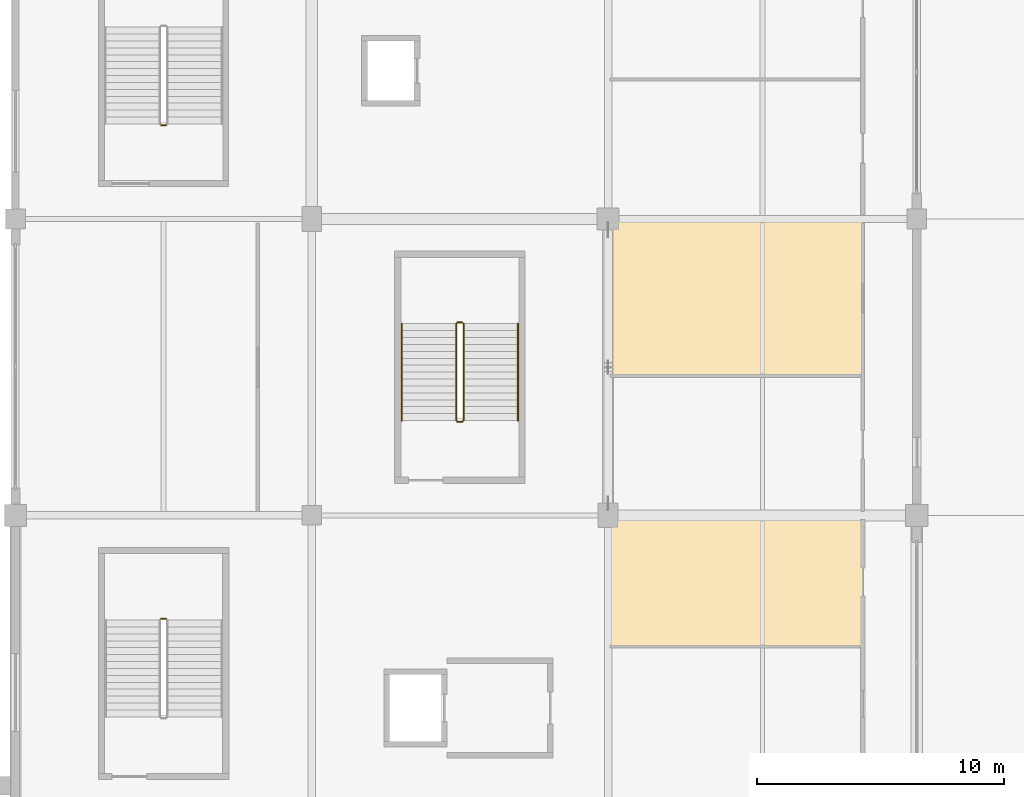
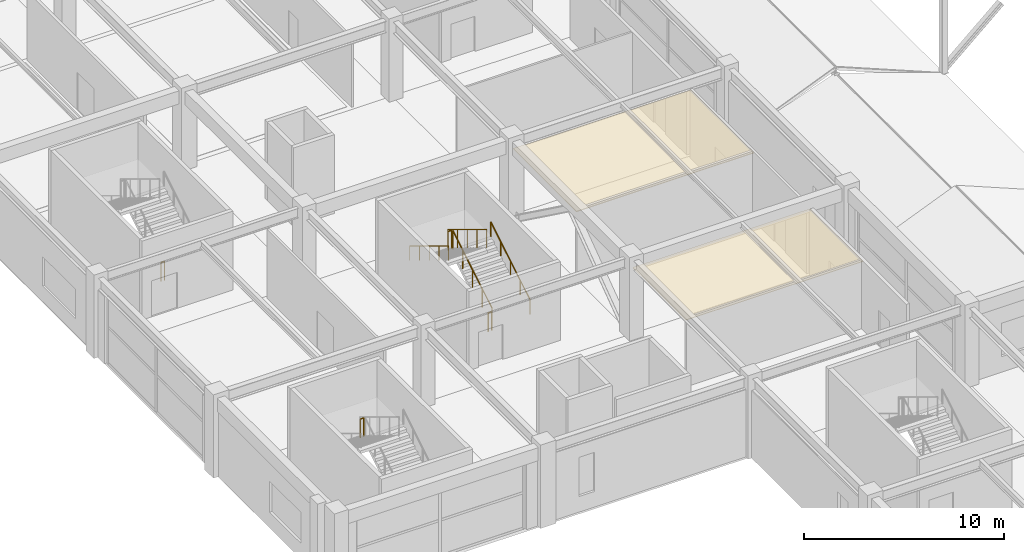
# One storey, part 89 of 116: 8 railings, 2 coverings.
"""IFC4 building model written with IfcOpenShell, lengths in metres."""

import ifcopenshell
import ifcopenshell.guid

model = None  # the IFC model being written
_history = None  # IfcOwnerHistory: only IFC2X3 demands one
_inside = {}  # id of a spatial element -> (the spatial element, [elements in it])
_under = {}  # id of a project, library or spatial element -> (it, [spatial elements below it])
_declared = {}  # id of a project -> (the project, [libraries it declares])
_typed = {}  # id of a type object -> (the type object, [elements of that type])
_made_of = {}  # id of a material, layer set ... -> (it, [elements and type objects made of it])


def new_model(schema):
    """Start an empty IFC model of exactly this schema.

    Asked for "IFC4X3", IfcOpenShell would pick the latest addendum, in which some entities
    have other attributes; the version numbers below select the first issue.
    IFC2X3 requires an IfcOwnerHistory on every rooted entity: one is made here for all.
    """
    global model, _history
    if schema == "IFC4X3":
        model = ifcopenshell.file(schema_version=(4, 3, 0, 0))
    else:
        model = ifcopenshell.file(schema=schema)
    _inside.clear()
    _under.clear()
    _declared.clear()
    _typed.clear()
    _made_of.clear()
    _history = None
    if model.schema == "IFC2X3":
        org = make("IfcOrganization", Name="unknown")
        user = make(
            "IfcPersonAndOrganization",
            ThePerson=make("IfcPerson", FamilyName="unknown"),
            TheOrganization=org,
        )
        app = make(
            "IfcApplication",
            ApplicationDeveloper=org,
            Version="unknown",
            ApplicationFullName="unknown",
            ApplicationIdentifier="unknown",
        )
        _history = make(
            "IfcOwnerHistory",
            OwningUser=user,
            OwningApplication=app,
            ChangeAction="ADDED",
            CreationDate=0,
        )
    return model


def make(cls, **values):
    """One entity of the class cls with the attributes given. An attribute that is None is left unset."""
    return model.create_entity(
        cls, **{name: value for name, value in values.items() if value is not None}
    )


def rooted(cls, **values):
    """An entity with a GlobalId (a new one), such as an element, a storey or a relation."""
    return make(cls, GlobalId=ifcopenshell.guid.new(), OwnerHistory=_history, **values)


def si_unit(unit_type, name, prefix=None):
    """IfcSIUnit, for example si_unit("LENGTHUNIT", "METRE", prefix="MILLI")."""
    return make("IfcSIUnit", UnitType=unit_type, Prefix=prefix, Name=name)


def assignment(units):
    """IfcUnitAssignment: the units of a project."""
    return None if units is None else make("IfcUnitAssignment", Units=units)


def point(xyz):
    """IfcCartesianPoint."""
    return None if xyz is None else make("IfcCartesianPoint", Coordinates=xyz)


def direction(xyz):
    """IfcDirection."""
    return None if xyz is None else make("IfcDirection", DirectionRatios=xyz)


def frame(location, z_axis=None, x_axis=None):
    """IfcAxis2Placement3D, a coordinate frame: its origin and axes. An axis left out is left unset."""
    return make(
        "IfcAxis2Placement3D",
        Location=point(location),
        Axis=direction(z_axis),
        RefDirection=direction(x_axis),
    )


def frame_2d(location, x_axis=None):
    """IfcAxis2Placement2D, a coordinate frame in the plane: its origin and x axis."""
    return make(
        "IfcAxis2Placement2D", Location=point(location), RefDirection=direction(x_axis)
    )


def origin():
    """The frame at (0, 0, 0) with its axes left unset."""
    return frame((0.0, 0.0, 0.0))


def origin_2d():
    """The frame at (0, 0) in the plane with its x axis left unset."""
    return frame_2d((0.0, 0.0))


def place(relative_to, where):
    """IfcLocalPlacement: puts the frame where relative to a parent placement (None: the world)."""
    return make(
        "IfcLocalPlacement", PlacementRelTo=relative_to, RelativePlacement=where
    )


def context(
    kind, dimensions, precision=None, world=None, true_north=None, identifier=None
):
    """IfcGeometricRepresentationContext, for example the 3D "Model" context."""
    return make(
        "IfcGeometricRepresentationContext",
        ContextIdentifier=identifier,
        ContextType=kind,
        CoordinateSpaceDimension=dimensions,
        Precision=precision,
        WorldCoordinateSystem=world,
        TrueNorth=true_north,
    )


def subcontext(parent, identifier, kind, view, scale=None):
    """IfcGeometricRepresentationSubContext, for example "Body" below "Model"."""
    return make(
        "IfcGeometricRepresentationSubContext",
        ContextIdentifier=identifier,
        ContextType=kind,
        ParentContext=parent,
        TargetScale=scale,
        TargetView=view,
    )


def project(units=None, contexts=None):
    """IfcProject with its units and contexts."""
    return rooted(
        "IfcProject",
        Name="project",
        RepresentationContexts=contexts,
        UnitsInContext=assignment(units),
    )


def spatial(cls, under=None, at=None, **own):
    """A site, building, storey or space (cls), placed at a placement, below another one or the project."""
    s = rooted(cls, ObjectPlacement=at, **own)
    if under is not None:
        _under.setdefault(under.id(), (under, []))[1].append(s)
    return s


def polyline(points):
    """IfcPolyline through the points."""
    return make("IfcPolyline", Points=[point(p) for p in points])


def profile(cls, at=None, kind="AREA", **sizes):
    """A parametric profile (cls). Its sizes go by their IFC names, for example OverallWidth=200.0."""
    return make(cls, ProfileType=kind, Position=at, **sizes)


def circle(**sizes):
    """IfcCircleProfileDef."""
    return profile("IfcCircleProfileDef", **sizes)


def outline(outer, holes=None, kind="AREA"):
    """IfcArbitraryClosedProfileDef: a profile drawn as a closed curve; with holes, ...WithVoids."""
    if holes is None:
        return make("IfcArbitraryClosedProfileDef", ProfileType=kind, OuterCurve=outer)
    return make(
        "IfcArbitraryProfileDefWithVoids",
        ProfileType=kind,
        OuterCurve=outer,
        InnerCurves=holes,
    )


def extrude(swept, where, along, depth):
    """IfcExtrudedAreaSolid: the profile swept, set in the frame where, extruded along a direction by depth."""
    return make(
        "IfcExtrudedAreaSolid",
        SweptArea=swept,
        Position=where,
        ExtrudedDirection=direction(along),
        Depth=depth,
    )


def shape(context_of_items, identifier, shape_type, items):
    """IfcShapeRepresentation: the items that make up one representation, for example the "Body"."""
    return make(
        "IfcShapeRepresentation",
        ContextOfItems=context_of_items,
        RepresentationIdentifier=identifier,
        RepresentationType=shape_type,
        Items=items,
    )


def material(Name=None, Category=None):
    """IfcMaterial."""
    return make("IfcMaterial", Name=Name, Category=Category)


def layer(
    of_material, thickness, ventilated=None, Name=None, Category=None, Priority=None
):
    """IfcMaterialLayer: one layer of a wall or slab, of a material (None: an air gap)."""
    return make(
        "IfcMaterialLayer",
        Material=of_material,
        LayerThickness=thickness,
        IsVentilated=ventilated,
        Name=Name,
        Category=Category,
        Priority=Priority,
    )


def layer_set(layers, Name=None):
    """IfcMaterialLayerSet."""
    return make("IfcMaterialLayerSet", MaterialLayers=layers, LayerSetName=Name)


def made_of(thing, what):
    """Note that an element or type object is made of a material, layer set ...; save() writes the relation."""
    if what is not None:
        _made_of.setdefault(what.id(), (what, []))[1].append(thing)
    return thing


def type_object(cls, material=None, **own):
    """A type object (cls), such as IfcWallType, which elements share."""
    return made_of(rooted(cls, **own), material)


def element(
    cls,
    number,
    at=None,
    inside=None,
    cuts=None,
    type_object=None,
    material=None,
    context=None,
    identifier="Body",
    shape_type=None,
    held_by="IfcProductDefinitionShape",
    body=None,
    shapes=None,
    **own,
):
    """One element of the class cls, such as IfcWall. Its Tag is "e" and its number.

    at: its placement. inside: the storey or other place that contains it. cuts: it is an
    opening in that element (IfcRelVoidsElement). A single representation is given by context,
    identifier, shape_type and body (its items); several are given by shapes. held_by: the class
    of the entity that holds the representations. save() writes the other relations.
    """
    e = rooted(cls, Tag="e%d" % number, ObjectPlacement=at, **own)
    if body is not None:
        shapes = [shape(context, identifier, shape_type, body)]
    if shapes is not None:
        e.Representation = make(held_by, Representations=shapes)
    if inside is not None:
        _inside.setdefault(inside.id(), (inside, []))[1].append(e)
    if cuts is not None:
        rooted(
            "IfcRelVoidsElement", RelatingBuildingElement=cuts, RelatedOpeningElement=e
        )
    if type_object is not None:
        _typed.setdefault(type_object.id(), (type_object, []))[1].append(e)
    return made_of(e, material)


def aggregate(whole, parts):
    """IfcRelAggregates: a whole, such as a stair, and the parts it consists of."""
    return rooted("IfcRelAggregates", RelatingObject=whole, RelatedObjects=parts)


def save(model, path):
    """Write the relations noted so far, then the file.

    IfcRelAggregates (storeys below a building ...), IfcRelContainedInSpatialStructure (elements
    in a storey), IfcRelDefinesByType, IfcRelAssociatesMaterial and IfcRelDeclares: one each for
    every whole, place, type object, material and project.
    """
    for whole, parts in _under.values():
        aggregate(whole, parts)
    for where, things in _inside.values():
        rooted(
            "IfcRelContainedInSpatialStructure",
            RelatedElements=things,
            RelatingStructure=where,
        )
    for kind, things in _typed.values():
        rooted("IfcRelDefinesByType", RelatedObjects=things, RelatingType=kind)
    for what, things in _made_of.values():
        rooted("IfcRelAssociatesMaterial", RelatedObjects=things, RelatingMaterial=what)
    for by, libraries in _declared.values():
        rooted("IfcRelDeclares", RelatingContext=by, RelatedDefinitions=libraries)
    model.write(path)


model = new_model("IFC4")

# Units and contexts
model_context = context("Model", 3, precision=1e-05, world=origin(), true_north=direction((0.0, 1.0)))
body_context = subcontext(model_context, "Body", "Model", "MODEL_VIEW")
ifc_project = project(units=[si_unit("LENGTHUNIT", "METRE"), si_unit("AREAUNIT", "SQUARE_METRE"), si_unit("VOLUMEUNIT", "CUBIC_METRE"), si_unit("PLANEANGLEUNIT", "RADIAN"), si_unit("MASSUNIT", "GRAM", prefix="KILO")], contexts=[model_context])

# Site, building, storey
site_placement = place(None, origin())
site = spatial("IfcSite", under=ifc_project, at=site_placement, CompositionType="ELEMENT")
building_placement = place(site_placement, origin())
building = spatial("IfcBuilding", under=site, at=building_placement, Name="Kazenohara Klinker Stadium", CompositionType="ELEMENT")
storey_placement = place(building_placement, frame((0.0, 0.0, 10.199951171875)))
storey = spatial("IfcBuildingStorey", under=building, at=storey_placement, Name="L02", CompositionType="ELEMENT", Elevation=10.199951171875)

# Coverings
ifc_material_1 = material(Name="Perforated acoustic mineral-fibre ceiling tile", Category="gypsum")
ifc_layer_1 = layer(ifc_material_1, 0.030029296875)
ifc_layer_set_1 = layer_set([ifc_layer_1], Name="Perforated acoustic mineral-fibre ceiling tile")
covering_type_1 = type_object("IfcCoveringType", Name="COV-CEIL-01", PredefinedType="CEILING", material=ifc_layer_set_1)
covering_1_placement = place(storey_placement, frame((0.0, 0.0, 4.050048828125)))
element("IfcCovering", 1, at=covering_1_placement, inside=storey, type_object=covering_type_1, Name="Suspended acoustic ceiling CL01 Hospitality Culinary Catering Kitchen L02-0203B", PredefinedType="CEILING", context=body_context, shape_type="SweptSolid", body=[
    extrude(outline(polyline([(24.06005859375, 42.6484375), (34.340087890625, 42.6484375), (34.340087890625, 47.9599609375), (24.06005859375, 47.9599609375), (24.06005859375, 42.6484375)])), origin(), (0.0, 0.0, 1.0), 0.030029296875),
])
ifc_material_2 = material(Name="Slatted Hokkaido cedar acoustic baffle ceiling", Category="wood")
ifc_layer_2 = layer(ifc_material_2, 0.0400390625)
ifc_layer_set_2 = layer_set([ifc_layer_2], Name="Slatted Hokkaido cedar acoustic baffle ceiling")
covering_type_2 = type_object("IfcCoveringType", Name="COV-CEIL-02", PredefinedType="CEILING", material=ifc_layer_set_2)
covering_2_placement = place(storey_placement, frame((0.0, 0.0, 4.0400390625)))
element("IfcCovering", 2, at=covering_2_placement, inside=storey, type_object=covering_type_2, Name="Suspended acoustic ceiling CL02 Founders Club Hospitality Lounge L02-0204B", PredefinedType="CEILING", context=body_context, shape_type="SweptSolid", body=[
    extrude(outline(polyline([(24.06005859375, 53.609619140625), (34.340087890625, 53.609619140625), (34.340087890625, 59.9599609375), (24.06005859375, 59.9599609375), (24.06005859375, 53.609619140625)])), origin(), (0.0, 0.0, 1.0), 0.0400390625),
])

# Railings
ifc_material_3 = material(Name="Brushed stainless steel 304 handrail", Category="steel")
ifc_layer_3 = layer(ifc_material_3, 0.050048828125)
ifc_layer_set_3 = layer_set([ifc_layer_3], Name="Brushed stainless steel 304 handrail")
railing_type_1 = type_object("IfcRailingType", Name="RL-HND-900", PredefinedType="HANDRAIL", material=ifc_layer_set_3)
railing_1_placement = place(storey_placement, frame((20.35009765625, 51.840087890625, 0.170166015625)))
element("IfcRailing", 3, at=railing_1_placement, inside=storey, type_object=railing_type_1, Name="L02 ST13 stair handrail 1", PredefinedType="HANDRAIL", context=body_context, shape_type="SweptSolid", body=[
    extrude(circle(Radius=0.02392578125, at=origin_2d()), frame((0.0, 0.0, 0.8759765625), z_axis=(0.0, 0.854794262968, 0.518967020143), x_axis=(-1.0, 0.0, 0.0)), (0.0, 0.0, 1.0), 4.585693359375),
    extrude(circle(Radius=0.02099609375, at=origin_2d()), origin(), (0.0, 0.0, 1.0), 0.851806640625),
    extrude(circle(Radius=0.02099609375, at=origin_2d()), frame((0.0, 0.97998046875, 0.594970703125)), (0.0, 0.0, 1.0), 0.851806640625),
    extrude(circle(Radius=0.02099609375, at=origin_2d()), frame((0.0, 1.9599609375, 1.18994140625)), (0.0, 0.0, 1.0), 0.851806640625),
    extrude(circle(Radius=0.02099609375, at=origin_2d()), frame((0.0, 2.93994140625, 1.784912109375)), (0.0, 0.0, 1.0), 0.851806640625),
    extrude(circle(Radius=0.02099609375, at=origin_2d()), frame((0.0, 3.919921875, 2.3798828125)), (0.0, 0.0, 1.0), 0.851806640625),
])
railing_2_placement = place(storey_placement, frame((15.64990234375, 55.760009765625, 2.719970703125)))
element("IfcRailing", 4, at=railing_2_placement, inside=storey, type_object=railing_type_1, Name="L02 ST13 stair handrail 2", PredefinedType="HANDRAIL", context=body_context, shape_type="SweptSolid", body=[
    extrude(circle(Radius=0.02392578125, at=origin_2d()), frame((0.0, 0.0, 0.8759765625), z_axis=(0.0, -0.854770645689, 0.519005918337), x_axis=(1.0, 0.0, 0.0)), (0.0, 0.0, 1.0), 4.5859375),
    extrude(circle(Radius=0.02099609375, at=origin_2d()), origin(), (0.0, 0.0, 1.0), 0.851806640625),
    extrude(circle(Radius=0.02099609375, at=origin_2d()), frame((0.0, -0.97998046875, 0.594970703125)), (0.0, 0.0, 1.0), 0.851806640625),
    extrude(circle(Radius=0.02099609375, at=origin_2d()), frame((0.0, -1.9599609375, 1.18994140625)), (0.0, 0.0, 1.0), 0.851806640625),
    extrude(circle(Radius=0.02099609375, at=origin_2d()), frame((0.0, -2.93994140625, 1.78515625)), (0.0, 0.0, 1.0), 0.851806640625),
    extrude(circle(Radius=0.02099609375, at=origin_2d()), frame((0.0, -3.919921875, 2.380126953125)), (0.0, 0.0, 1.0), 0.851806640625),
])
ifc_material_4 = material(Name="Painted steel stairwell guardrail", Category="steel")
ifc_layer_4 = layer(ifc_material_4, 0.06005859375)
ifc_layer_set_4 = layer_set([ifc_layer_4], Name="Painted steel stairwell guardrail")
railing_type_2 = type_object("IfcRailingType", Name="RL-STG-1120", PredefinedType="GUARDRAIL", material=ifc_layer_set_4)
for number, where, name in (
    (5, (6.10009765625, 43.81005859375, 2.550048828125), "L02 ST01 stair guard 2"),
    (6, (6.10009765625, 63.800048828125, 0.0), "L02 ST02 stair guard 4"),
):
    element("IfcRailing", number, at=place(storey_placement, frame(where)), inside=storey, type_object=railing_type_2, Name=name, PredefinedType="GUARDRAIL", context=body_context, shape_type="SweptSolid", body=[
        extrude(circle(Radius=0.02392578125, at=origin_2d()), frame((0.0, 0.0, 1.1259765625), z_axis=(-1.0, 0.0, 0.0), x_axis=(0.0, -1.0, 0.0)), (0.0, 0.0, 1.0), 0.2001953125),
        extrude(circle(Radius=0.02099609375, at=origin_2d()), origin(), (0.0, 0.0, 1.0), 1.101806640625),
        extrude(circle(Radius=0.02099609375, at=origin_2d()), frame((-0.2001953125, 0.0, 0.0)), (0.0, 0.0, 1.0), 1.101806640625),
    ])
railing_3_placement = place(storey_placement, frame((18.14990234375, 51.840087890625, 0.170166015625)))
element("IfcRailing", 7, at=railing_3_placement, inside=storey, type_object=railing_type_2, Name="L02 ST13 stair guard 1", PredefinedType="GUARDRAIL", context=body_context, shape_type="SweptSolid", body=[
    extrude(circle(Radius=0.02392578125, at=origin_2d()), frame((0.0, 0.0, 1.1259765625), z_axis=(0.0, 0.854794262968, 0.518967020143), x_axis=(-1.0, 0.0, 0.0)), (0.0, 0.0, 1.0), 4.585693359375),
    extrude(circle(Radius=0.02099609375, at=origin_2d()), origin(), (0.0, 0.0, 1.0), 1.101806640625),
    extrude(circle(Radius=0.02099609375, at=origin_2d()), frame((0.0, 0.97998046875, 0.594970703125)), (0.0, 0.0, 1.0), 1.101806640625),
    extrude(circle(Radius=0.02099609375, at=origin_2d()), frame((0.0, 1.9599609375, 1.18994140625)), (0.0, 0.0, 1.0), 1.101806640625),
    extrude(circle(Radius=0.02099609375, at=origin_2d()), frame((0.0, 2.93994140625, 1.784912109375)), (0.0, 0.0, 1.0), 1.101806640625),
    extrude(circle(Radius=0.02099609375, at=origin_2d()), frame((0.0, 3.919921875, 2.3798828125)), (0.0, 0.0, 1.0), 1.101806640625),
])
railing_4_placement = place(storey_placement, frame((18.10009765625, 55.81005859375, 2.550048828125)))
element("IfcRailing", 8, at=railing_4_placement, inside=storey, type_object=railing_type_2, Name="L02 ST13 stair guard 2", PredefinedType="GUARDRAIL", context=body_context, shape_type="SweptSolid", body=[
    extrude(circle(Radius=0.02392578125, at=origin_2d()), frame((0.0, 0.0, 1.1259765625), z_axis=(-1.0, 0.0, 0.0), x_axis=(0.0, -1.0, 0.0)), (0.0, 0.0, 1.0), 0.2001953125),
    extrude(circle(Radius=0.02099609375, at=origin_2d()), origin(), (0.0, 0.0, 1.0), 1.101806640625),
    extrude(circle(Radius=0.02099609375, at=origin_2d()), frame((-0.2001953125, 0.0, 0.0)), (0.0, 0.0, 1.0), 1.101806640625),
])
railing_5_placement = place(storey_placement, frame((17.85009765625, 55.760009765625, 2.719970703125)))
element("IfcRailing", 9, at=railing_5_placement, inside=storey, type_object=railing_type_2, Name="L02 ST13 stair guard 3", PredefinedType="GUARDRAIL", context=body_context, shape_type="SweptSolid", body=[
    extrude(circle(Radius=0.02392578125, at=origin_2d()), frame((0.0, 0.0, 1.1259765625), z_axis=(0.0, -0.854770645689, 0.519005918337), x_axis=(1.0, 0.0, 0.0)), (0.0, 0.0, 1.0), 4.5859375),
    extrude(circle(Radius=0.02099609375, at=origin_2d()), origin(), (0.0, 0.0, 1.0), 1.101806640625),
    extrude(circle(Radius=0.02099609375, at=origin_2d()), frame((0.0, -0.97998046875, 0.594970703125)), (0.0, 0.0, 1.0), 1.101806640625),
    extrude(circle(Radius=0.02099609375, at=origin_2d()), frame((0.0, -1.9599609375, 1.18994140625)), (0.0, 0.0, 1.0), 1.101806640625),
    extrude(circle(Radius=0.02099609375, at=origin_2d()), frame((0.0, -2.93994140625, 1.78515625)), (0.0, 0.0, 1.0), 1.101806640625),
    extrude(circle(Radius=0.02099609375, at=origin_2d()), frame((0.0, -3.919921875, 2.380126953125)), (0.0, 0.0, 1.0), 1.101806640625),
])
railing_6_placement = place(storey_placement, frame((18.10009765625, 51.7900390625, 0.0)))
element("IfcRailing", 10, at=railing_6_placement, inside=storey, type_object=railing_type_2, Name="L02 ST13 stair guard 4", PredefinedType="GUARDRAIL", context=body_context, shape_type="SweptSolid", body=[
    extrude(circle(Radius=0.02392578125, at=origin_2d()), frame((0.0, 0.0, 1.1259765625), z_axis=(-1.0, 0.0, 0.0), x_axis=(0.0, -1.0, 0.0)), (0.0, 0.0, 1.0), 0.2001953125),
    extrude(circle(Radius=0.02099609375, at=origin_2d()), origin(), (0.0, 0.0, 1.0), 1.101806640625),
    extrude(circle(Radius=0.02099609375, at=origin_2d()), frame((-0.2001953125, 0.0, 0.0)), (0.0, 0.0, 1.0), 1.101806640625),
])

save(model, "model.ifc")
